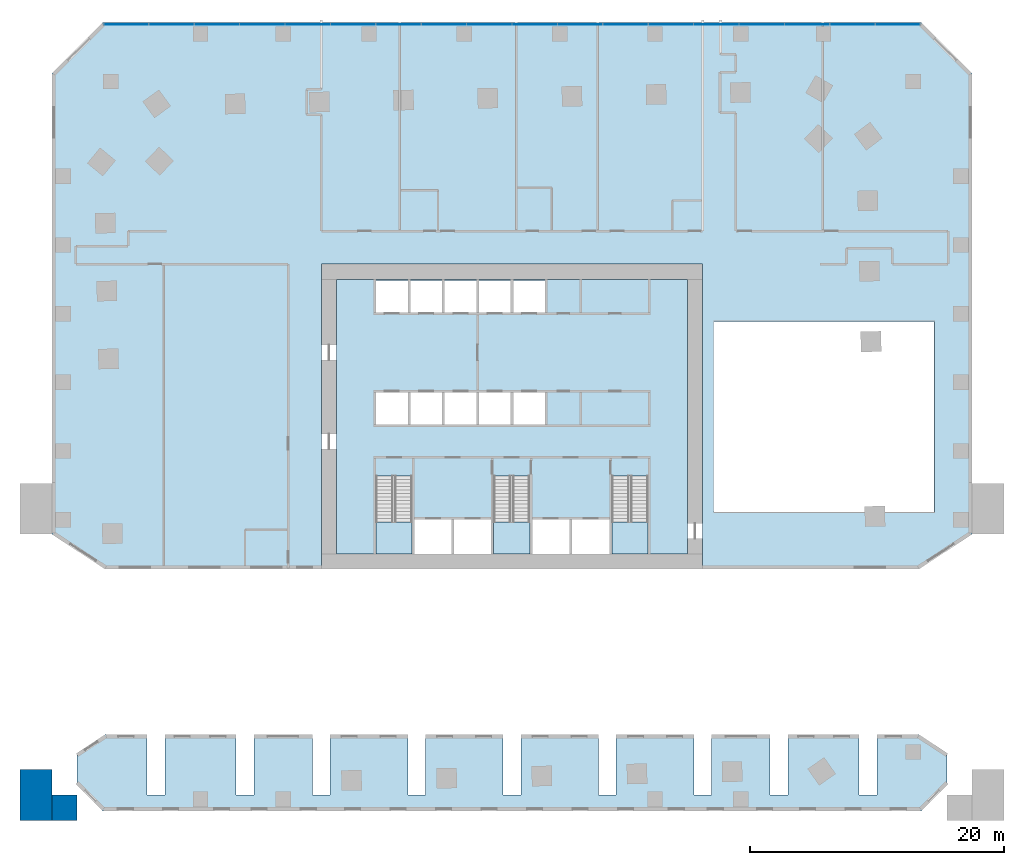
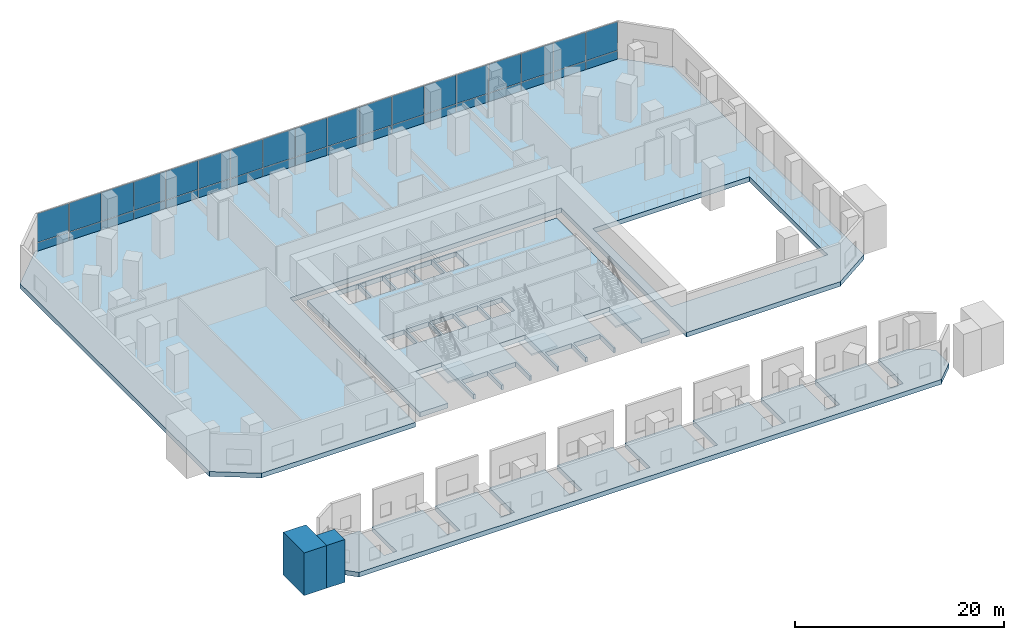
# One storey, part 4 of 11: 36 plates, 6 slabs, 2 walls, 4 elements without a shape of their own.
"""IFC4 building model written with IfcOpenShell, lengths in metres."""

from ifc_helpers import new_model, si_unit, direction, frame, frame_2d, origin, origin_2d, place, context, subcontext, project, spatial, polyline, rectangle, outline, extrude, material, layer, layer_set, type_object, element, aggregate, save


model = new_model("IFC4")

# Units and contexts
model_context = context("Model", 3, precision=1e-05, world=origin(), true_north=direction((0.0, 1.0)))
body_context = subcontext(model_context, "Body", "Model", "MODEL_VIEW")
ifc_project = project(units=[si_unit("LENGTHUNIT", "METRE"), si_unit("AREAUNIT", "SQUARE_METRE"), si_unit("VOLUMEUNIT", "CUBIC_METRE"), si_unit("PLANEANGLEUNIT", "RADIAN"), si_unit("MASSUNIT", "GRAM", prefix="KILO")], contexts=[model_context])

# Site, building, storey
site_placement = place(None, origin())
site = spatial("IfcSite", under=ifc_project, at=site_placement, CompositionType="ELEMENT")
building_placement = place(site_placement, origin())
building = spatial("IfcBuilding", under=site, at=building_placement, Name="Mangrove Gate Tower", CompositionType="ELEMENT")
storey_placement = place(building_placement, frame((0.0, 0.0, 6.0)))
storey = spatial("IfcBuildingStorey", under=building, at=storey_placement, Name="L01", CompositionType="ELEMENT", Elevation=6.0)

# Slab
ifc_material_1 = material(Name="Concrete C40/50", Category="concrete")
ifc_layer_1 = layer(ifc_material_1, 0.550048828125)
ifc_layer_set_1 = layer_set([ifc_layer_1], Name="Core floor slab 550 C40/50")
slab_type_1 = type_object("IfcSlabType", Name="Core floor slab 550 C40/50", PredefinedType="FLOOR", material=ifc_layer_set_1)
slab_1_placement = place(storey_placement, frame((0.0, 0.0, -0.550048828125)))
element("IfcSlab", 1, at=slab_1_placement, inside=storey, type_object=slab_type_1, Name="SLAB-L01-CORE-1", PredefinedType="FLOOR", context=body_context, shape_type="SweptSolid", body=[
    extrude(outline(polyline([(-13.800048828125, -10.800048828125), (-13.800048828125, 10.800048828125), (13.800048828125, 10.800048828125), (13.800048828125, -10.800048828125), (10.699951171875, -10.800048828125), (10.699951171875, -4.653076171875), (7.85009765625, -4.653076171875), (7.85009765625, -10.800048828125), (7.64990234375, -10.800048828125), (7.64990234375, -8.10009765625), (4.72509765625, -8.10009765625), (4.72509765625, -10.800048828125), (4.52490234375, -10.800048828125), (4.52490234375, -8.10009765625), (1.60009765625, -8.10009765625), (1.60009765625, -10.800048828125), (1.39990234375, -10.800048828125), (1.39990234375, -4.653076171875), (-1.449951171875, -4.653076171875), (-1.449951171875, -10.800048828125), (-1.64990234375, -10.800048828125), (-1.64990234375, -8.10009765625), (-4.550048828125, -8.10009765625), (-4.550048828125, -10.800048828125), (-4.75, -10.800048828125), (-4.75, -8.10009765625), (-7.64990234375, -8.10009765625), (-7.64990234375, -10.800048828125), (-7.85009765625, -10.800048828125), (-7.85009765625, -4.653076171875), (-10.699951171875, -4.653076171875), (-10.699951171875, -10.800048828125), (-13.800048828125, -10.800048828125)]), holes=[polyline([(-8.199951171875, -0.60009765625), (-8.199951171875, 1.89990234375), (-10.699951171875, 1.89990234375), (-10.699951171875, -0.60009765625), (-8.199951171875, -0.60009765625)]), polyline([(-5.5, -0.60009765625), (-5.5, 1.89990234375), (-8.0, 1.89990234375), (-8.0, -0.60009765625), (-5.5, -0.60009765625)]), polyline([(-2.800048828125, -0.60009765625), (-2.800048828125, 1.89990234375), (-5.300048828125, 1.89990234375), (-5.300048828125, -0.60009765625), (-2.800048828125, -0.60009765625)]), polyline([(-8.199951171875, 8.199951171875), (-8.199951171875, 10.699951171875), (-10.699951171875, 10.699951171875), (-10.699951171875, 8.199951171875), (-8.199951171875, 8.199951171875)]), polyline([(-5.5, 8.199951171875), (-5.5, 10.699951171875), (-8.0, 10.699951171875), (-8.0, 8.199951171875), (-5.5, 8.199951171875)]), polyline([(-2.800048828125, 8.199951171875), (-2.800048828125, 10.699951171875), (-5.300048828125, 10.699951171875), (-5.300048828125, 8.199951171875), (-2.800048828125, 8.199951171875)]), polyline([(-0.10009765625, -0.60009765625), (-0.10009765625, 1.89990234375), (-2.60009765625, 1.89990234375), (-2.60009765625, -0.60009765625), (-0.10009765625, -0.60009765625)]), polyline([(2.60009765625, -0.60009765625), (2.60009765625, 1.89990234375), (0.10009765625, 1.89990234375), (0.10009765625, -0.60009765625), (2.60009765625, -0.60009765625)]), polyline([(-2.60009765625, 8.199951171875), (-0.10009765625, 8.199951171875), (-0.10009765625, 10.699951171875), (-2.60009765625, 10.699951171875), (-2.60009765625, 8.199951171875)]), polyline([(0.10009765625, 8.199951171875), (2.60009765625, 8.199951171875), (2.60009765625, 10.699951171875), (0.10009765625, 10.699951171875), (0.10009765625, 8.199951171875)])]), origin(), (0.0, 0.0, 1.0), 0.550048828125),
])

# Stair, slab
ifc_material_2 = material(Name="Concrete C40/50", Category="concrete")
stair_type = type_object("IfcStairType", Name="Core stair 1350", PredefinedType="HALF_TURN_STAIR", material=ifc_material_2)
stair_1_placement = place(storey_placement, origin())
stair_1 = element("IfcStair", 2, at=stair_1_placement, inside=storey, type_object=stair_type, Name="L01 Stair 1", PredefinedType="HALF_TURN_STAIR")
ifc_material_3 = material(Name="Concrete C40/50", Category="concrete")
ifc_layer_2 = layer(ifc_material_3, 0.199951171875)
ifc_layer_set_2 = layer_set([ifc_layer_2], Name="Core stair landing 200")
slab_type_2 = type_object("IfcSlabType", Name="Core stair landing 200", PredefinedType="LANDING", material=ifc_layer_set_2)
slab_2_placement = place(storey_placement, frame((0.0, 0.0, 2.300048828125)))
slab_2 = element("IfcSlab", 3, at=slab_2_placement, type_object=slab_type_2, Name="ST1 landing 1", PredefinedType="LANDING", context=body_context, shape_type="SweptSolid", body=[
    extrude(outline(polyline([(-10.699951171875, -8.2900390625), (-10.699951171875, -10.800048828125), (-7.85009765625, -10.800048828125), (-7.85009765625, -8.2900390625), (-10.699951171875, -8.2900390625)])), origin(), (0.0, 0.0, 1.0), 0.199951171875),
])
aggregate(stair_1, [slab_2])

stair_2_placement = place(storey_placement, origin())
stair_2 = element("IfcStair", 4, at=stair_2_placement, inside=storey, type_object=stair_type, Name="L01 Stair 2", PredefinedType="HALF_TURN_STAIR")
slab_3_placement = place(storey_placement, frame((0.0, 0.0, 2.300048828125)))
slab_3 = element("IfcSlab", 5, at=slab_3_placement, type_object=slab_type_2, Name="ST2 landing 1", PredefinedType="LANDING", context=body_context, shape_type="SweptSolid", body=[
    extrude(outline(polyline([(-1.449951171875, -8.2900390625), (-1.449951171875, -10.800048828125), (1.39990234375, -10.800048828125), (1.39990234375, -8.2900390625), (-1.449951171875, -8.2900390625)])), origin(), (0.0, 0.0, 1.0), 0.199951171875),
])
aggregate(stair_2, [slab_3])

stair_3_placement = place(storey_placement, origin())
stair_3 = element("IfcStair", 6, at=stair_3_placement, inside=storey, type_object=stair_type, Name="L01 Stair 3", PredefinedType="HALF_TURN_STAIR")
slab_4_placement = place(storey_placement, frame((0.0, 0.0, 2.300048828125)))
slab_4 = element("IfcSlab", 7, at=slab_4_placement, type_object=slab_type_2, Name="ST3 landing 1", PredefinedType="LANDING", context=body_context, shape_type="SweptSolid", body=[
    extrude(outline(polyline([(7.85009765625, -8.2900390625), (7.85009765625, -10.800048828125), (10.699951171875, -10.800048828125), (10.699951171875, -8.2900390625), (7.85009765625, -8.2900390625)])), origin(), (0.0, 0.0, 1.0), 0.199951171875),
])
aggregate(stair_3, [slab_4])

# Slabs
ifc_material_4 = material(Name="Concrete C40/50", Category="concrete")
ifc_layer_3 = layer(ifc_material_4, 0.550048828125)
ifc_layer_set_3 = layer_set([ifc_layer_3], Name="Floor slab 550 C40/50")
slab_type_3 = type_object("IfcSlabType", Name="Floor slab 550 C40/50", PredefinedType="FLOOR", material=ifc_layer_set_3)
slab_5_placement = place(storey_placement, frame((0.0, 0.0, -0.550048828125)))
element("IfcSlab", 8, at=slab_5_placement, inside=storey, type_object=slab_type_3, Name="Floor slab L01", PredefinedType="FLOOR", context=body_context, shape_type="SweptSolid", body=[
    extrude(outline(polyline([(-32.0, -25.0), (-34.199951171875, -26.4404296875), (-34.199951171875, -29.0), (-32.199951171875, -31.0), (32.199951171875, -31.0), (34.199951171875, -29.0), (34.199951171875, -26.4404296875), (32.0, -25.0), (28.699951171875, -25.0), (28.699951171875, -29.75), (27.300048828125, -29.75), (27.300048828125, -25.0), (21.699951171875, -25.0), (21.699951171875, -29.75), (20.300048828125, -29.75), (20.300048828125, -25.0), (15.699951171875, -25.0), (15.699951171875, -29.75), (14.300048828125, -29.75), (14.300048828125, -25.0), (8.199951171875, -25.0), (8.199951171875, -29.75), (6.800048828125, -29.75), (6.800048828125, -25.0), (0.699951171875, -25.0), (0.699951171875, -29.75), (-0.699951171875, -29.75), (-0.699951171875, -25.0), (-6.800048828125, -25.0), (-6.800048828125, -29.75), (-8.199951171875, -29.75), (-8.199951171875, -25.0), (-14.300048828125, -25.0), (-14.300048828125, -29.75), (-15.699951171875, -29.75), (-15.699951171875, -25.0), (-20.300048828125, -25.0), (-20.300048828125, -29.75), (-21.699951171875, -29.75), (-21.699951171875, -25.0), (-27.300048828125, -25.0), (-27.300048828125, -29.75), (-28.699951171875, -29.75), (-28.699951171875, -25.0), (-32.0, -25.0)])), origin(), (0.0, 0.0, 1.0), 0.550048828125),
])
slab_6_placement = place(storey_placement, frame((0.0, 0.0, -0.550048828125)))
element("IfcSlab", 9, at=slab_6_placement, inside=storey, type_object=slab_type_3, Name="Floor slab L01", PredefinedType="FLOOR", context=body_context, shape_type="SweptSolid", body=[
    extrude(outline(polyline([(36.199951171875, -9.25), (36.199951171875, 27.0), (32.199951171875, 31.0), (-32.199951171875, 31.0), (-36.199951171875, 27.0), (-36.199951171875, -9.25), (-32.0, -12.0), (-15.0, -12.0), (-15.0, 12.0), (15.0, 12.0), (15.0, -12.0), (32.0, -12.0), (36.199951171875, -9.25)]), holes=[polyline([(15.89990234375, 7.5), (33.199951171875, 7.5), (33.199951171875, -7.5), (15.89990234375, -7.5), (15.89990234375, 7.5)])]), origin(), (0.0, 0.0, 1.0), 0.550048828125),
])

# Curtain wall, plates
ifc_material_5 = material(Name="Aluminium and glass curtain wall", Category="aluminium")
curtain_wall_type = type_object("IfcCurtainWallType", Name="Podium amenity glazing wall", PredefinedType="NOTDEFINED", material=ifc_material_5)
curtain_wall_placement = place(storey_placement, origin())
curtain_wall = element("IfcCurtainWall", 10, at=curtain_wall_placement, inside=storey, type_object=curtain_wall_type, Name="Podium amenity glazing N12", PredefinedType="NOTDEFINED")
ifc_material_6 = material(Name="Laminated low-e glass", Category="glass")
ifc_layer_4 = layer(ifc_material_6, 0.028076171875)
ifc_layer_set_4 = layer_set([ifc_layer_4], Name="Podium amenity glazing panel 28")
plate_type = type_object("IfcPlateType", Name="Podium amenity glazing panel 28", PredefinedType="CURTAIN_PANEL", material=ifc_layer_set_4)
plate_1_placement = place(storey_placement, frame((30.33740234375, 30.85009765625, 0.0), z_axis=(0.0, 0.0, 1.0), x_axis=(-1.0, 0.0, 0.0)))
plate_1 = element("IfcPlate", 11, at=plate_1_placement, type_object=plate_type, Name="CWP panel 1.1", PredefinedType="CURTAIN_PANEL", context=body_context, shape_type="SweptSolid", body=[
    extrude(rectangle(XDim=3.48095703125, YDim=0.028076171875, at=origin_2d()), origin(), (0.0, 0.0, 1.0), 0.969970703125),
])
plate_2_placement = place(storey_placement, frame((30.33740234375, 30.85009765625, 1.02978515625), z_axis=(0.0, 0.0, 1.0), x_axis=(-1.0, 0.0, 0.0)))
plate_2 = element("IfcPlate", 12, at=plate_2_placement, type_object=plate_type, Name="CWP panel 1.2", PredefinedType="CURTAIN_PANEL", context=body_context, shape_type="SweptSolid", body=[
    extrude(rectangle(XDim=3.48095703125, YDim=0.028076171875, at=origin_2d()), origin(), (0.0, 0.0, 1.0), 3.360107421875),
])
plate_3_placement = place(storey_placement, frame((26.781494140625, 30.85009765625, 0.0), z_axis=(0.0, 0.0, 1.0), x_axis=(-1.0, 0.0, 0.0)))
plate_3 = element("IfcPlate", 13, at=plate_3_placement, type_object=plate_type, Name="CWP panel 2.1", PredefinedType="CURTAIN_PANEL", context=body_context, shape_type="SweptSolid", body=[
    extrude(rectangle(XDim=3.510986328125, YDim=0.028076171875, at=origin_2d()), origin(), (0.0, 0.0, 1.0), 0.969970703125),
])
plate_4_placement = place(storey_placement, frame((26.781494140625, 30.85009765625, 1.02978515625), z_axis=(0.0, 0.0, 1.0), x_axis=(-1.0, 0.0, 0.0)))
plate_4 = element("IfcPlate", 14, at=plate_4_placement, type_object=plate_type, Name="CWP panel 2.2", PredefinedType="CURTAIN_PANEL", context=body_context, shape_type="SweptSolid", body=[
    extrude(rectangle(XDim=3.510986328125, YDim=0.028076171875, at=origin_2d()), origin(), (0.0, 0.0, 1.0), 3.360107421875),
])
plate_5_placement = place(storey_placement, frame((23.210693359375, 30.85009765625, 0.0), z_axis=(0.0, 0.0, 1.0), x_axis=(-1.0, 0.0, 0.0)))
plate_5 = element("IfcPlate", 15, at=plate_5_placement, type_object=plate_type, Name="CWP panel 3.1", PredefinedType="CURTAIN_PANEL", context=body_context, shape_type="SweptSolid", body=[
    extrude(rectangle(XDim=3.510986328125, YDim=0.028076171875, at=origin_2d()), origin(), (0.0, 0.0, 1.0), 0.969970703125),
])
plate_6_placement = place(storey_placement, frame((23.210693359375, 30.85009765625, 1.02978515625), z_axis=(0.0, 0.0, 1.0), x_axis=(-1.0, 0.0, 0.0)))
plate_6 = element("IfcPlate", 16, at=plate_6_placement, type_object=plate_type, Name="CWP panel 3.2", PredefinedType="CURTAIN_PANEL", context=body_context, shape_type="SweptSolid", body=[
    extrude(rectangle(XDim=3.510986328125, YDim=0.028076171875, at=origin_2d()), origin(), (0.0, 0.0, 1.0), 3.360107421875),
])
plate_7_placement = place(storey_placement, frame((19.639892578125, 30.85009765625, 0.0), z_axis=(0.0, 0.0, 1.0), x_axis=(-1.0, 0.0, 0.0)))
plate_7 = element("IfcPlate", 17, at=plate_7_placement, type_object=plate_type, Name="CWP panel 4.1", PredefinedType="CURTAIN_PANEL", context=body_context, shape_type="SweptSolid", body=[
    extrude(rectangle(XDim=3.510986328125, YDim=0.028076171875, at=origin_2d()), origin(), (0.0, 0.0, 1.0), 0.969970703125),
])
plate_8_placement = place(storey_placement, frame((19.639892578125, 30.85009765625, 1.02978515625), z_axis=(0.0, 0.0, 1.0), x_axis=(-1.0, 0.0, 0.0)))
plate_8 = element("IfcPlate", 18, at=plate_8_placement, type_object=plate_type, Name="CWP panel 4.2", PredefinedType="CURTAIN_PANEL", context=body_context, shape_type="SweptSolid", body=[
    extrude(rectangle(XDim=3.510986328125, YDim=0.028076171875, at=origin_2d()), origin(), (0.0, 0.0, 1.0), 3.360107421875),
])
plate_9_placement = place(storey_placement, frame((16.06884765625, 30.85009765625, 0.0), z_axis=(0.0, 0.0, 1.0), x_axis=(-1.0, 0.0, 0.0)))
plate_9 = element("IfcPlate", 19, at=plate_9_placement, type_object=plate_type, Name="CWP panel 5.1", PredefinedType="CURTAIN_PANEL", context=body_context, shape_type="SweptSolid", body=[
    extrude(rectangle(XDim=3.510986328125, YDim=0.028076171875, at=origin_2d()), origin(), (0.0, 0.0, 1.0), 0.969970703125),
])
plate_10_placement = place(storey_placement, frame((16.06884765625, 30.85009765625, 1.02978515625), z_axis=(0.0, 0.0, 1.0), x_axis=(-1.0, 0.0, 0.0)))
plate_10 = element("IfcPlate", 20, at=plate_10_placement, type_object=plate_type, Name="CWP panel 5.2", PredefinedType="CURTAIN_PANEL", context=body_context, shape_type="SweptSolid", body=[
    extrude(rectangle(XDim=3.510986328125, YDim=0.028076171875, at=origin_2d()), origin(), (0.0, 0.0, 1.0), 3.360107421875),
])
plate_11_placement = place(storey_placement, frame((12.498046875, 30.85009765625, 0.0), z_axis=(0.0, 0.0, 1.0), x_axis=(-1.0, 0.0, 0.0)))
plate_11 = element("IfcPlate", 21, at=plate_11_placement, type_object=plate_type, Name="CWP panel 6.1", PredefinedType="CURTAIN_PANEL", context=body_context, shape_type="SweptSolid", body=[
    extrude(rectangle(XDim=3.510986328125, YDim=0.028076171875, at=origin_2d()), origin(), (0.0, 0.0, 1.0), 0.969970703125),
])
plate_12_placement = place(storey_placement, frame((12.498046875, 30.85009765625, 1.02978515625), z_axis=(0.0, 0.0, 1.0), x_axis=(-1.0, 0.0, 0.0)))
plate_12 = element("IfcPlate", 22, at=plate_12_placement, type_object=plate_type, Name="CWP panel 6.2", PredefinedType="CURTAIN_PANEL", context=body_context, shape_type="SweptSolid", body=[
    extrude(rectangle(XDim=3.510986328125, YDim=0.028076171875, at=origin_2d()), origin(), (0.0, 0.0, 1.0), 3.360107421875),
])
plate_13_placement = place(storey_placement, frame((8.92724609375, 30.85009765625, 0.0), z_axis=(0.0, 0.0, 1.0), x_axis=(-1.0, 0.0, 0.0)))
plate_13 = element("IfcPlate", 23, at=plate_13_placement, type_object=plate_type, Name="CWP panel 7.1", PredefinedType="CURTAIN_PANEL", context=body_context, shape_type="SweptSolid", body=[
    extrude(rectangle(XDim=3.510986328125, YDim=0.028076171875, at=origin_2d()), origin(), (0.0, 0.0, 1.0), 0.969970703125),
])
plate_14_placement = place(storey_placement, frame((8.92724609375, 30.85009765625, 1.02978515625), z_axis=(0.0, 0.0, 1.0), x_axis=(-1.0, 0.0, 0.0)))
plate_14 = element("IfcPlate", 24, at=plate_14_placement, type_object=plate_type, Name="CWP panel 7.2", PredefinedType="CURTAIN_PANEL", context=body_context, shape_type="SweptSolid", body=[
    extrude(rectangle(XDim=3.510986328125, YDim=0.028076171875, at=origin_2d()), origin(), (0.0, 0.0, 1.0), 3.360107421875),
])
plate_15_placement = place(storey_placement, frame((5.356201171875, 30.85009765625, 0.0), z_axis=(0.0, 0.0, 1.0), x_axis=(-1.0, 0.0, 0.0)))
plate_15 = element("IfcPlate", 25, at=plate_15_placement, type_object=plate_type, Name="CWP panel 8.1", PredefinedType="CURTAIN_PANEL", context=body_context, shape_type="SweptSolid", body=[
    extrude(rectangle(XDim=3.510986328125, YDim=0.028076171875, at=origin_2d()), origin(), (0.0, 0.0, 1.0), 0.969970703125),
])
plate_16_placement = place(storey_placement, frame((5.356201171875, 30.85009765625, 1.02978515625), z_axis=(0.0, 0.0, 1.0), x_axis=(-1.0, 0.0, 0.0)))
plate_16 = element("IfcPlate", 26, at=plate_16_placement, type_object=plate_type, Name="CWP panel 8.2", PredefinedType="CURTAIN_PANEL", context=body_context, shape_type="SweptSolid", body=[
    extrude(rectangle(XDim=3.510986328125, YDim=0.028076171875, at=origin_2d()), origin(), (0.0, 0.0, 1.0), 3.360107421875),
])
plate_17_placement = place(storey_placement, frame((1.785400390625, 30.85009765625, 0.0), z_axis=(0.0, 0.0, 1.0), x_axis=(-1.0, 0.0, 0.0)))
plate_17 = element("IfcPlate", 27, at=plate_17_placement, type_object=plate_type, Name="CWP panel 9.1", PredefinedType="CURTAIN_PANEL", context=body_context, shape_type="SweptSolid", body=[
    extrude(rectangle(XDim=3.510986328125, YDim=0.028076171875, at=origin_2d()), origin(), (0.0, 0.0, 1.0), 0.969970703125),
])
plate_18_placement = place(storey_placement, frame((1.785400390625, 30.85009765625, 1.02978515625), z_axis=(0.0, 0.0, 1.0), x_axis=(-1.0, 0.0, 0.0)))
plate_18 = element("IfcPlate", 28, at=plate_18_placement, type_object=plate_type, Name="CWP panel 9.2", PredefinedType="CURTAIN_PANEL", context=body_context, shape_type="SweptSolid", body=[
    extrude(rectangle(XDim=3.510986328125, YDim=0.028076171875, at=origin_2d()), origin(), (0.0, 0.0, 1.0), 3.360107421875),
])
plate_19_placement = place(storey_placement, frame((-1.785400390625, 30.85009765625, 0.0), z_axis=(0.0, 0.0, 1.0), x_axis=(-1.0, 0.0, 0.0)))
plate_19 = element("IfcPlate", 29, at=plate_19_placement, type_object=plate_type, Name="CWP panel 10.1", PredefinedType="CURTAIN_PANEL", context=body_context, shape_type="SweptSolid", body=[
    extrude(rectangle(XDim=3.510986328125, YDim=0.028076171875, at=origin_2d()), origin(), (0.0, 0.0, 1.0), 0.969970703125),
])
plate_20_placement = place(storey_placement, frame((-1.785400390625, 30.85009765625, 1.02978515625), z_axis=(0.0, 0.0, 1.0), x_axis=(-1.0, 0.0, 0.0)))
plate_20 = element("IfcPlate", 30, at=plate_20_placement, type_object=plate_type, Name="CWP panel 10.2", PredefinedType="CURTAIN_PANEL", context=body_context, shape_type="SweptSolid", body=[
    extrude(rectangle(XDim=3.510986328125, YDim=0.028076171875, at=origin_2d()), origin(), (0.0, 0.0, 1.0), 3.360107421875),
])
plate_21_placement = place(storey_placement, frame((-5.356201171875, 30.85009765625, 0.0), z_axis=(0.0, 0.0, 1.0), x_axis=(-1.0, 0.0, 0.0)))
plate_21 = element("IfcPlate", 31, at=plate_21_placement, type_object=plate_type, Name="CWP panel 11.1", PredefinedType="CURTAIN_PANEL", context=body_context, shape_type="SweptSolid", body=[
    extrude(rectangle(XDim=3.510986328125, YDim=0.028076171875, at=origin_2d()), origin(), (0.0, 0.0, 1.0), 0.969970703125),
])
plate_22_placement = place(storey_placement, frame((-5.356201171875, 30.85009765625, 1.02978515625), z_axis=(0.0, 0.0, 1.0), x_axis=(-1.0, 0.0, 0.0)))
plate_22 = element("IfcPlate", 32, at=plate_22_placement, type_object=plate_type, Name="CWP panel 11.2", PredefinedType="CURTAIN_PANEL", context=body_context, shape_type="SweptSolid", body=[
    extrude(rectangle(XDim=3.510986328125, YDim=0.028076171875, at=origin_2d()), origin(), (0.0, 0.0, 1.0), 3.360107421875),
])
plate_23_placement = place(storey_placement, frame((-8.92724609375, 30.85009765625, 0.0), z_axis=(0.0, 0.0, 1.0), x_axis=(-1.0, 0.0, 0.0)))
plate_23 = element("IfcPlate", 33, at=plate_23_placement, type_object=plate_type, Name="CWP panel 12.1", PredefinedType="CURTAIN_PANEL", context=body_context, shape_type="SweptSolid", body=[
    extrude(rectangle(XDim=3.510986328125, YDim=0.028076171875, at=origin_2d()), origin(), (0.0, 0.0, 1.0), 0.969970703125),
])
plate_24_placement = place(storey_placement, frame((-8.92724609375, 30.85009765625, 1.02978515625), z_axis=(0.0, 0.0, 1.0), x_axis=(-1.0, 0.0, 0.0)))
plate_24 = element("IfcPlate", 34, at=plate_24_placement, type_object=plate_type, Name="CWP panel 12.2", PredefinedType="CURTAIN_PANEL", context=body_context, shape_type="SweptSolid", body=[
    extrude(rectangle(XDim=3.510986328125, YDim=0.028076171875, at=origin_2d()), origin(), (0.0, 0.0, 1.0), 3.360107421875),
])
plate_25_placement = place(storey_placement, frame((-12.498046875, 30.85009765625, 0.0), z_axis=(0.0, 0.0, 1.0), x_axis=(-1.0, 0.0, 0.0)))
plate_25 = element("IfcPlate", 35, at=plate_25_placement, type_object=plate_type, Name="CWP panel 13.1", PredefinedType="CURTAIN_PANEL", context=body_context, shape_type="SweptSolid", body=[
    extrude(rectangle(XDim=3.510986328125, YDim=0.028076171875, at=origin_2d()), origin(), (0.0, 0.0, 1.0), 0.969970703125),
])
plate_26_placement = place(storey_placement, frame((-12.498046875, 30.85009765625, 1.02978515625), z_axis=(0.0, 0.0, 1.0), x_axis=(-1.0, 0.0, 0.0)))
plate_26 = element("IfcPlate", 36, at=plate_26_placement, type_object=plate_type, Name="CWP panel 13.2", PredefinedType="CURTAIN_PANEL", context=body_context, shape_type="SweptSolid", body=[
    extrude(rectangle(XDim=3.510986328125, YDim=0.028076171875, at=origin_2d()), origin(), (0.0, 0.0, 1.0), 3.360107421875),
])
plate_27_placement = place(storey_placement, frame((-16.06884765625, 30.85009765625, 0.0), z_axis=(0.0, 0.0, 1.0), x_axis=(-1.0, 0.0, 0.0)))
plate_27 = element("IfcPlate", 37, at=plate_27_placement, type_object=plate_type, Name="CWP panel 14.1", PredefinedType="CURTAIN_PANEL", context=body_context, shape_type="SweptSolid", body=[
    extrude(rectangle(XDim=3.510986328125, YDim=0.028076171875, at=origin_2d()), origin(), (0.0, 0.0, 1.0), 0.969970703125),
])
plate_28_placement = place(storey_placement, frame((-16.06884765625, 30.85009765625, 1.02978515625), z_axis=(0.0, 0.0, 1.0), x_axis=(-1.0, 0.0, 0.0)))
plate_28 = element("IfcPlate", 38, at=plate_28_placement, type_object=plate_type, Name="CWP panel 14.2", PredefinedType="CURTAIN_PANEL", context=body_context, shape_type="SweptSolid", body=[
    extrude(rectangle(XDim=3.510986328125, YDim=0.028076171875, at=origin_2d()), origin(), (0.0, 0.0, 1.0), 3.360107421875),
])
plate_29_placement = place(storey_placement, frame((-19.639892578125, 30.85009765625, 0.0), z_axis=(0.0, 0.0, 1.0), x_axis=(-1.0, 0.0, 0.0)))
plate_29 = element("IfcPlate", 39, at=plate_29_placement, type_object=plate_type, Name="CWP panel 15.1", PredefinedType="CURTAIN_PANEL", context=body_context, shape_type="SweptSolid", body=[
    extrude(rectangle(XDim=3.510986328125, YDim=0.028076171875, at=origin_2d()), origin(), (0.0, 0.0, 1.0), 0.969970703125),
])
plate_30_placement = place(storey_placement, frame((-19.639892578125, 30.85009765625, 1.02978515625), z_axis=(0.0, 0.0, 1.0), x_axis=(-1.0, 0.0, 0.0)))
plate_30 = element("IfcPlate", 40, at=plate_30_placement, type_object=plate_type, Name="CWP panel 15.2", PredefinedType="CURTAIN_PANEL", context=body_context, shape_type="SweptSolid", body=[
    extrude(rectangle(XDim=3.510986328125, YDim=0.028076171875, at=origin_2d()), origin(), (0.0, 0.0, 1.0), 3.360107421875),
])
plate_31_placement = place(storey_placement, frame((-23.210693359375, 30.85009765625, 0.0), z_axis=(0.0, 0.0, 1.0), x_axis=(-1.0, 0.0, 0.0)))
plate_31 = element("IfcPlate", 41, at=plate_31_placement, type_object=plate_type, Name="CWP panel 16.1", PredefinedType="CURTAIN_PANEL", context=body_context, shape_type="SweptSolid", body=[
    extrude(rectangle(XDim=3.510986328125, YDim=0.028076171875, at=origin_2d()), origin(), (0.0, 0.0, 1.0), 0.969970703125),
])
plate_32_placement = place(storey_placement, frame((-23.210693359375, 30.85009765625, 1.02978515625), z_axis=(0.0, 0.0, 1.0), x_axis=(-1.0, 0.0, 0.0)))
plate_32 = element("IfcPlate", 42, at=plate_32_placement, type_object=plate_type, Name="CWP panel 16.2", PredefinedType="CURTAIN_PANEL", context=body_context, shape_type="SweptSolid", body=[
    extrude(rectangle(XDim=3.510986328125, YDim=0.028076171875, at=origin_2d()), origin(), (0.0, 0.0, 1.0), 3.360107421875),
])
plate_33_placement = place(storey_placement, frame((-26.781494140625, 30.85009765625, 0.0), z_axis=(0.0, 0.0, 1.0), x_axis=(-1.0, 0.0, 0.0)))
plate_33 = element("IfcPlate", 43, at=plate_33_placement, type_object=plate_type, Name="CWP panel 17.1", PredefinedType="CURTAIN_PANEL", context=body_context, shape_type="SweptSolid", body=[
    extrude(rectangle(XDim=3.510986328125, YDim=0.028076171875, at=origin_2d()), origin(), (0.0, 0.0, 1.0), 0.969970703125),
])
plate_34_placement = place(storey_placement, frame((-26.781494140625, 30.85009765625, 1.02978515625), z_axis=(0.0, 0.0, 1.0), x_axis=(-1.0, 0.0, 0.0)))
plate_34 = element("IfcPlate", 44, at=plate_34_placement, type_object=plate_type, Name="CWP panel 17.2", PredefinedType="CURTAIN_PANEL", context=body_context, shape_type="SweptSolid", body=[
    extrude(rectangle(XDim=3.510986328125, YDim=0.028076171875, at=origin_2d()), origin(), (0.0, 0.0, 1.0), 3.360107421875),
])
plate_35_placement = place(storey_placement, frame((-30.33740234375, 30.85009765625, 0.0), z_axis=(0.0, 0.0, 1.0), x_axis=(-1.0, 0.0, 0.0)))
plate_35 = element("IfcPlate", 45, at=plate_35_placement, type_object=plate_type, Name="CWP panel 18.1", PredefinedType="CURTAIN_PANEL", context=body_context, shape_type="SweptSolid", body=[
    extrude(rectangle(XDim=3.48095703125, YDim=0.028076171875, at=origin_2d()), origin(), (0.0, 0.0, 1.0), 0.969970703125),
])
plate_36_placement = place(storey_placement, frame((-30.33740234375, 30.85009765625, 1.02978515625), z_axis=(0.0, 0.0, 1.0), x_axis=(-1.0, 0.0, 0.0)))
plate_36 = element("IfcPlate", 46, at=plate_36_placement, type_object=plate_type, Name="CWP panel 18.2", PredefinedType="CURTAIN_PANEL", context=body_context, shape_type="SweptSolid", body=[
    extrude(rectangle(XDim=3.48095703125, YDim=0.028076171875, at=origin_2d()), origin(), (0.0, 0.0, 1.0), 3.360107421875),
])
aggregate(curtain_wall, [plate_1, plate_2, plate_3, plate_4, plate_5, plate_6, plate_7, plate_8, plate_9, plate_10, plate_11, plate_12, plate_13, plate_14, plate_15, plate_16, plate_17, plate_18, plate_19, plate_20, plate_21, plate_22, plate_23, plate_24, plate_25, plate_26, plate_27, plate_28, plate_29, plate_30, plate_31, plate_32, plate_33, plate_34, plate_35, plate_36])

# Walls
ifc_material_7 = material(Name="Limestone", Category="masonry")
ifc_layer_5 = layer(ifc_material_7, 0.06005859375, Name="Limestone cladding")
ifc_material_8 = material(Name="Concrete C40/50", Category="concrete")
ifc_layer_6 = layer(ifc_material_8, 2.340087890625, Name="Gate core wall")
ifc_layer_7 = layer(ifc_material_7, 0.10009765625, Name="Limestone reveal lining")
ifc_layer_set_5 = layer_set([ifc_layer_5, ifc_layer_6, ifc_layer_7], Name="Stone gate wall 2500")
wall_type = type_object("IfcWallType", Name="Stone gate wall 2500", PredefinedType="STANDARD", material=ifc_layer_set_5)
wall_1_placement = place(storey_placement, frame((-37.449951171875, -31.75, 0.0), z_axis=(0.0, 0.0, 1.0), x_axis=(0.0, 1.0, 0.0)))
element("IfcWall", 47, at=wall_1_placement, inside=storey, type_object=wall_type, Name="ARCH PIER W 1", PredefinedType="STANDARD", context=body_context, shape_type="SweptSolid", body=[
    extrude(rectangle(XDim=4.0, YDim=2.5, at=frame_2d((2.0, 0.0))), origin(), (0.0, 0.0, 1.0), 5.0),
])
wall_2_placement = place(storey_placement, frame((-34.199951171875, -30.75, 0.0), z_axis=(0.0, 0.0, 1.0), x_axis=(-1.0, 0.0, 0.0)))
element("IfcWall", 48, at=wall_2_placement, inside=storey, type_object=wall_type, Name="ARCH RETURN W", PredefinedType="STANDARD", context=body_context, shape_type="SweptSolid", body=[
    extrude(rectangle(XDim=2.0, YDim=2.0, at=frame_2d((1.0, 0.0))), origin(), (0.0, 0.0, 1.0), 5.0),
])

save(model, "model.ifc")
